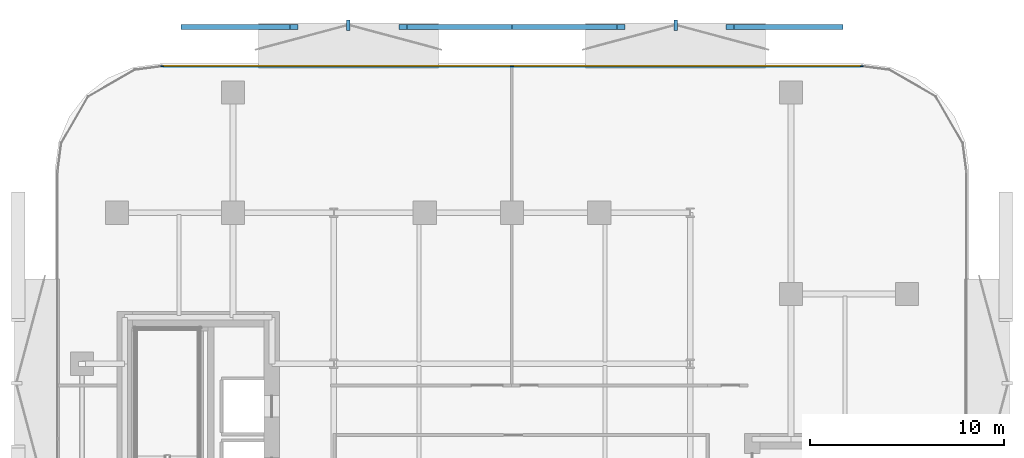
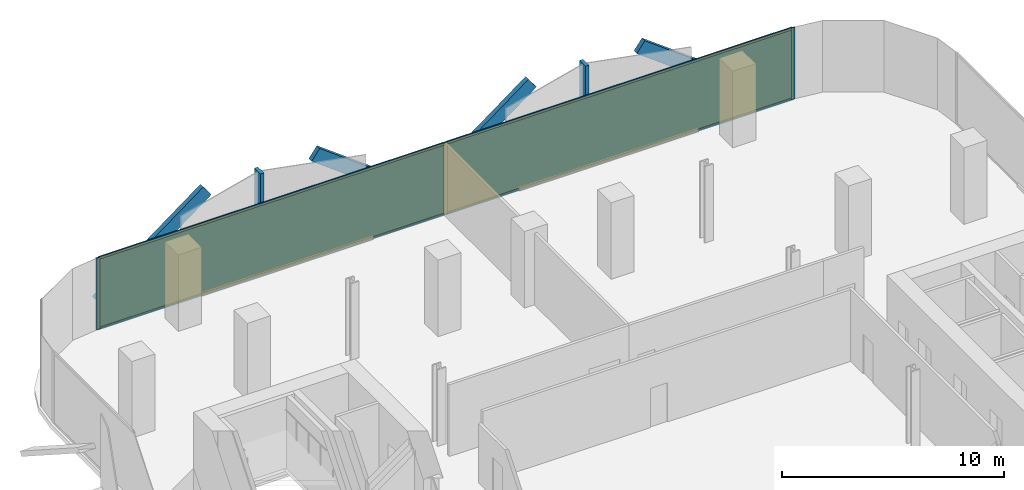
# One storey, part 9 of 14: 13 members, 2 plates, 1 curtain wall.
"""IFC4 building model written with IfcOpenShell, lengths in metres."""

import ifcopenshell
import ifcopenshell.guid

model = None  # the IFC model being written
_history = None  # IfcOwnerHistory: only IFC2X3 demands one
_inside = {}  # id of a spatial element -> (the spatial element, [elements in it])
_under = {}  # id of a project, library or spatial element -> (it, [spatial elements below it])
_declared = {}  # id of a project -> (the project, [libraries it declares])
_typed = {}  # id of a type object -> (the type object, [elements of that type])
_made_of = {}  # id of a material, layer set ... -> (it, [elements and type objects made of it])


def new_model(schema):
    """Start an empty IFC model of exactly this schema.

    Asked for "IFC4X3", IfcOpenShell would pick the latest addendum, in which some entities
    have other attributes; the version numbers below select the first issue.
    IFC2X3 requires an IfcOwnerHistory on every rooted entity: one is made here for all.
    """
    global model, _history
    if schema == "IFC4X3":
        model = ifcopenshell.file(schema_version=(4, 3, 0, 0))
    else:
        model = ifcopenshell.file(schema=schema)
    _inside.clear()
    _under.clear()
    _declared.clear()
    _typed.clear()
    _made_of.clear()
    _history = None
    if model.schema == "IFC2X3":
        org = make("IfcOrganization", Name="unknown")
        user = make(
            "IfcPersonAndOrganization",
            ThePerson=make("IfcPerson", FamilyName="unknown"),
            TheOrganization=org,
        )
        app = make(
            "IfcApplication",
            ApplicationDeveloper=org,
            Version="unknown",
            ApplicationFullName="unknown",
            ApplicationIdentifier="unknown",
        )
        _history = make(
            "IfcOwnerHistory",
            OwningUser=user,
            OwningApplication=app,
            ChangeAction="ADDED",
            CreationDate=0,
        )
    return model


def make(cls, **values):
    """One entity of the class cls with the attributes given. An attribute that is None is left unset."""
    return model.create_entity(
        cls, **{name: value for name, value in values.items() if value is not None}
    )


def rooted(cls, **values):
    """An entity with a GlobalId (a new one), such as an element, a storey or a relation."""
    return make(cls, GlobalId=ifcopenshell.guid.new(), OwnerHistory=_history, **values)


def si_unit(unit_type, name, prefix=None):
    """IfcSIUnit, for example si_unit("LENGTHUNIT", "METRE", prefix="MILLI")."""
    return make("IfcSIUnit", UnitType=unit_type, Prefix=prefix, Name=name)


def assignment(units):
    """IfcUnitAssignment: the units of a project."""
    return None if units is None else make("IfcUnitAssignment", Units=units)


def point(xyz):
    """IfcCartesianPoint."""
    return None if xyz is None else make("IfcCartesianPoint", Coordinates=xyz)


def direction(xyz):
    """IfcDirection."""
    return None if xyz is None else make("IfcDirection", DirectionRatios=xyz)


def frame(location, z_axis=None, x_axis=None):
    """IfcAxis2Placement3D, a coordinate frame: its origin and axes. An axis left out is left unset."""
    return make(
        "IfcAxis2Placement3D",
        Location=point(location),
        Axis=direction(z_axis),
        RefDirection=direction(x_axis),
    )


def frame_2d(location, x_axis=None):
    """IfcAxis2Placement2D, a coordinate frame in the plane: its origin and x axis."""
    return make(
        "IfcAxis2Placement2D", Location=point(location), RefDirection=direction(x_axis)
    )


def origin():
    """The frame at (0, 0, 0) with its axes left unset."""
    return frame((0.0, 0.0, 0.0))


def origin_2d():
    """The frame at (0, 0) in the plane with its x axis left unset."""
    return frame_2d((0.0, 0.0))


def place(relative_to, where):
    """IfcLocalPlacement: puts the frame where relative to a parent placement (None: the world)."""
    return make(
        "IfcLocalPlacement", PlacementRelTo=relative_to, RelativePlacement=where
    )


def context(
    kind, dimensions, precision=None, world=None, true_north=None, identifier=None
):
    """IfcGeometricRepresentationContext, for example the 3D "Model" context."""
    return make(
        "IfcGeometricRepresentationContext",
        ContextIdentifier=identifier,
        ContextType=kind,
        CoordinateSpaceDimension=dimensions,
        Precision=precision,
        WorldCoordinateSystem=world,
        TrueNorth=true_north,
    )


def subcontext(parent, identifier, kind, view, scale=None):
    """IfcGeometricRepresentationSubContext, for example "Body" below "Model"."""
    return make(
        "IfcGeometricRepresentationSubContext",
        ContextIdentifier=identifier,
        ContextType=kind,
        ParentContext=parent,
        TargetScale=scale,
        TargetView=view,
    )


def project(units=None, contexts=None):
    """IfcProject with its units and contexts."""
    return rooted(
        "IfcProject",
        Name="project",
        RepresentationContexts=contexts,
        UnitsInContext=assignment(units),
    )


def spatial(cls, under=None, at=None, **own):
    """A site, building, storey or space (cls), placed at a placement, below another one or the project."""
    s = rooted(cls, ObjectPlacement=at, **own)
    if under is not None:
        _under.setdefault(under.id(), (under, []))[1].append(s)
    return s


def profile(cls, at=None, kind="AREA", **sizes):
    """A parametric profile (cls). Its sizes go by their IFC names, for example OverallWidth=200.0."""
    return make(cls, ProfileType=kind, Position=at, **sizes)


def rectangle(**sizes):
    """IfcRectangleProfileDef."""
    return profile("IfcRectangleProfileDef", **sizes)


def extrude(swept, where, along, depth):
    """IfcExtrudedAreaSolid: the profile swept, set in the frame where, extruded along a direction by depth."""
    return make(
        "IfcExtrudedAreaSolid",
        SweptArea=swept,
        Position=where,
        ExtrudedDirection=direction(along),
        Depth=depth,
    )


def shape(context_of_items, identifier, shape_type, items):
    """IfcShapeRepresentation: the items that make up one representation, for example the "Body"."""
    return make(
        "IfcShapeRepresentation",
        ContextOfItems=context_of_items,
        RepresentationIdentifier=identifier,
        RepresentationType=shape_type,
        Items=items,
    )


def material(Name=None, Category=None):
    """IfcMaterial."""
    return make("IfcMaterial", Name=Name, Category=Category)


def layer(
    of_material, thickness, ventilated=None, Name=None, Category=None, Priority=None
):
    """IfcMaterialLayer: one layer of a wall or slab, of a material (None: an air gap)."""
    return make(
        "IfcMaterialLayer",
        Material=of_material,
        LayerThickness=thickness,
        IsVentilated=ventilated,
        Name=Name,
        Category=Category,
        Priority=Priority,
    )


def layer_set(layers, Name=None):
    """IfcMaterialLayerSet."""
    return make("IfcMaterialLayerSet", MaterialLayers=layers, LayerSetName=Name)


def material_profile(
    of_material, cross_section, Name=None, Category=None, Priority=None
):
    """IfcMaterialProfile: a cross section and its material."""
    return make(
        "IfcMaterialProfile",
        Name=Name,
        Material=of_material,
        Profile=cross_section,
        Priority=Priority,
        Category=Category,
    )


def profile_set(profiles, Name=None, composite=None):
    """IfcMaterialProfileSet."""
    return make(
        "IfcMaterialProfileSet",
        Name=Name,
        MaterialProfiles=profiles,
        CompositeProfile=composite,
    )


def made_of(thing, what):
    """Note that an element or type object is made of a material, layer set ...; save() writes the relation."""
    if what is not None:
        _made_of.setdefault(what.id(), (what, []))[1].append(thing)
    return thing


def type_object(cls, material=None, **own):
    """A type object (cls), such as IfcWallType, which elements share."""
    return made_of(rooted(cls, **own), material)


def element(
    cls,
    number,
    at=None,
    inside=None,
    cuts=None,
    type_object=None,
    material=None,
    context=None,
    identifier="Body",
    shape_type=None,
    held_by="IfcProductDefinitionShape",
    body=None,
    shapes=None,
    **own,
):
    """One element of the class cls, such as IfcWall. Its Tag is "e" and its number.

    at: its placement. inside: the storey or other place that contains it. cuts: it is an
    opening in that element (IfcRelVoidsElement). A single representation is given by context,
    identifier, shape_type and body (its items); several are given by shapes. held_by: the class
    of the entity that holds the representations. save() writes the other relations.
    """
    e = rooted(cls, Tag="e%d" % number, ObjectPlacement=at, **own)
    if body is not None:
        shapes = [shape(context, identifier, shape_type, body)]
    if shapes is not None:
        e.Representation = make(held_by, Representations=shapes)
    if inside is not None:
        _inside.setdefault(inside.id(), (inside, []))[1].append(e)
    if cuts is not None:
        rooted(
            "IfcRelVoidsElement", RelatingBuildingElement=cuts, RelatedOpeningElement=e
        )
    if type_object is not None:
        _typed.setdefault(type_object.id(), (type_object, []))[1].append(e)
    return made_of(e, material)


def aggregate(whole, parts):
    """IfcRelAggregates: a whole, such as a stair, and the parts it consists of."""
    return rooted("IfcRelAggregates", RelatingObject=whole, RelatedObjects=parts)


def save(model, path):
    """Write the relations noted so far, then the file.

    IfcRelAggregates (storeys below a building ...), IfcRelContainedInSpatialStructure (elements
    in a storey), IfcRelDefinesByType, IfcRelAssociatesMaterial and IfcRelDeclares: one each for
    every whole, place, type object, material and project.
    """
    for whole, parts in _under.values():
        aggregate(whole, parts)
    for where, things in _inside.values():
        rooted(
            "IfcRelContainedInSpatialStructure",
            RelatedElements=things,
            RelatingStructure=where,
        )
    for kind, things in _typed.values():
        rooted("IfcRelDefinesByType", RelatedObjects=things, RelatingType=kind)
    for what, things in _made_of.values():
        rooted("IfcRelAssociatesMaterial", RelatedObjects=things, RelatingMaterial=what)
    for by, libraries in _declared.values():
        rooted("IfcRelDeclares", RelatingContext=by, RelatedDefinitions=libraries)
    model.write(path)


model = new_model("IFC4")

# Units and contexts
model_context = context("Model", 3, precision=1e-05, world=origin(), true_north=direction((0.0, 1.0)))
body_context = subcontext(model_context, "Body", "Model", "MODEL_VIEW")
ifc_project = project(units=[si_unit("LENGTHUNIT", "METRE"), si_unit("AREAUNIT", "SQUARE_METRE"), si_unit("VOLUMEUNIT", "CUBIC_METRE"), si_unit("PLANEANGLEUNIT", "RADIAN"), si_unit("MASSUNIT", "GRAM", prefix="KILO")], contexts=[model_context])

# Member
ifc_material_1 = material(Name="Anodised Bronze Aluminium 6063-T6", Category="aluminium")
ifc_material_profile_1 = material_profile(ifc_material_1, rectangle(XDim=0.260009765625, YDim=0.699951171875, at=origin_2d()))
ifc_profile_set_1 = profile_set([ifc_material_profile_1], Name="Anodised Bronze Aluminium 6063-T6")
member_type_1 = type_object("IfcMemberType", Name="Bronze Diamond Solar-Screen Lattice Rib BDL-700", PredefinedType="MULLION", material=ifc_profile_set_1)
site_placement = place(None, origin())
building_placement = place(site_placement, origin())
storey_placement = place(building_placement, frame((0.0, 0.0, 93.199951171875)))
member_1_placement = place(storey_placement, frame((-16.890869140625, 28.199951171875, -0.1298828125), z_axis=(0.801557173533, 0.0, 0.597918136167), x_axis=(0.0, 1.0, 0.0)))
member_1 = element("IfcMember", 1, at=member_1_placement, type_object=member_type_1, Name="L21 Bronze Diamond Solar Screen Lattice Rib 117A", PredefinedType="MULLION", context=body_context, shape_type="SweptSolid", body=[
    extrude(rectangle(XDim=0.260009765625, YDim=0.699951171875, at=origin_2d()), origin(), (0.0, 0.0, 1.0), 7.024169921875),
])

member_2_placement = place(storey_placement, frame((0.0, 28.199951171875, -0.1298828125), z_axis=(-0.801557173533, 0.0, 0.597918136167), x_axis=(0.0, -1.0, 0.0)))
member_2 = element("IfcMember", 2, at=member_2_placement, type_object=member_type_1, Name="L21 Bronze Diamond Solar Screen Lattice Rib 117B", PredefinedType="MULLION", context=body_context, shape_type="SweptSolid", body=[
    extrude(rectangle(XDim=0.260009765625, YDim=0.699951171875, at=origin_2d()), origin(), (0.0, 0.0, 1.0), 7.024169921875),
])

member_3_placement = place(storey_placement, frame((0.0, 28.199951171875, -0.1298828125), z_axis=(0.801557173533, 0.0, 0.597918136167), x_axis=(0.0, 1.0, 0.0)))
member_3 = element("IfcMember", 3, at=member_3_placement, type_object=member_type_1, Name="L21 Bronze Diamond Solar Screen Lattice Rib 118A", PredefinedType="MULLION", context=body_context, shape_type="SweptSolid", body=[
    extrude(rectangle(XDim=0.260009765625, YDim=0.699951171875, at=origin_2d()), origin(), (0.0, 0.0, 1.0), 7.024169921875),
])

member_4_placement = place(storey_placement, frame((16.890869140625, 28.199951171875, -0.1298828125), z_axis=(-0.801557173533, 0.0, 0.597918136167), x_axis=(0.0, -1.0, 0.0)))
member_4 = element("IfcMember", 4, at=member_4_placement, type_object=member_type_1, Name="L21 Bronze Diamond Solar Screen Lattice Rib 118B", PredefinedType="MULLION", context=body_context, shape_type="SweptSolid", body=[
    extrude(rectangle(XDim=0.260009765625, YDim=0.699951171875, at=origin_2d()), origin(), (0.0, 0.0, 1.0), 7.024169921875),
])

ifc_material_2 = material(Name="Anodised Bronze Aluminium 6063-T6", Category="aluminium")
ifc_material_profile_2 = material_profile(ifc_material_2, rectangle(XDim=0.179931640625, YDim=0.5400390625, at=origin_2d()))
ifc_profile_set_2 = profile_set([ifc_material_profile_2], Name="Anodised Bronze Aluminium 6063-T6")
member_type_2 = type_object("IfcMemberType", Name="Bronze Solar-Screen Vertical Fold Fin BSF-540", PredefinedType="MULLION", material=ifc_profile_set_2)
member_5_placement = place(storey_placement, frame((-8.4453125, 28.280029296875, -0.1298828125), z_axis=(0.0, 0.0, 1.0), x_axis=(1.0, 0.0, 0.0)))
member_5 = element("IfcMember", 5, at=member_5_placement, type_object=member_type_2, Name="L21 Bronze Solar Screen Vertical Fin 117", PredefinedType="MULLION", context=body_context, shape_type="SweptSolid", body=[
    extrude(rectangle(XDim=0.179931640625, YDim=0.5400390625, at=origin_2d()), origin(), (0.0, 0.0, 1.0), 4.199951171875),
])

member_6_placement = place(storey_placement, frame((8.4453125, 28.280029296875, -0.1298828125), z_axis=(0.0, 0.0, 1.0), x_axis=(1.0, 0.0, 0.0)))
member_6 = element("IfcMember", 6, at=member_6_placement, type_object=member_type_2, Name="L21 Bronze Solar Screen Vertical Fin 118", PredefinedType="MULLION", context=body_context, shape_type="SweptSolid", body=[
    extrude(rectangle(XDim=0.179931640625, YDim=0.5400390625, at=origin_2d()), origin(), (0.0, 0.0, 1.0), 4.199951171875),
])

ifc_material_3 = material(Name="Anodised Bronze Aluminium 6063-T6", Category="aluminium")
ifc_material_profile_3 = material_profile(ifc_material_3, rectangle(XDim=0.06494140625, YDim=0.175048828125, at=origin_2d()))
ifc_profile_set_3 = profile_set([ifc_material_profile_3], Name="Anodised Bronze Aluminium 6063-T6")
member_type_3 = type_object("IfcMemberType", Name="CW-Z2 Mullion 65x175", PredefinedType="MULLION", material=ifc_profile_set_3)
member_7_placement = place(storey_placement, frame((-18.058349609375, 26.159912109375, 0.0), z_axis=(0.0, 0.0, 1.0), x_axis=(0.0, 1.0, 0.0)))
member_7 = element("IfcMember", 7, at=member_7_placement, type_object=member_type_3, Name="CW-Z2 mullion 1", PredefinedType="MULLION", context=body_context, shape_type="SweptSolid", body=[
    extrude(rectangle(XDim=0.06494140625, YDim=0.175048828125, at=origin_2d()), origin(), (0.0, 0.0, 1.0), 3.93994140625),
])

member_8_placement = place(storey_placement, frame((0.0, 26.159912109375, 0.0), z_axis=(0.0, 0.0, 1.0), x_axis=(0.0, 1.0, 0.0)))
member_8 = element("IfcMember", 8, at=member_8_placement, type_object=member_type_3, Name="CW-Z2 mullion 2", PredefinedType="MULLION", context=body_context, shape_type="SweptSolid", body=[
    extrude(rectangle(XDim=0.06494140625, YDim=0.175048828125, at=origin_2d()), origin(), (0.0, 0.0, 1.0), 3.93994140625),
])

member_9_placement = place(storey_placement, frame((18.058349609375, 26.159912109375, 0.0), z_axis=(0.0, 0.0, 1.0), x_axis=(0.0, 1.0, 0.0)))
member_9 = element("IfcMember", 9, at=member_9_placement, type_object=member_type_3, Name="CW-Z2 mullion 3", PredefinedType="MULLION", context=body_context, shape_type="SweptSolid", body=[
    extrude(rectangle(XDim=0.06494140625, YDim=0.175048828125, at=origin_2d()), origin(), (0.0, 0.0, 1.0), 3.93994140625),
])

ifc_material_4 = material(Name="Anodised Bronze Aluminium 6063-T6", Category="aluminium")
ifc_material_profile_4 = material_profile(ifc_material_4, rectangle(XDim=0.06494140625, YDim=0.135009765625, at=origin_2d()))
ifc_profile_set_4 = profile_set([ifc_material_profile_4], Name="Anodised Bronze Aluminium 6063-T6")
member_type_4 = type_object("IfcMemberType", Name="CW-Z2 Transom 65x135", PredefinedType="USERDEFINED", material=ifc_profile_set_4)
member_10_placement = place(storey_placement, frame((-18.02587890625, 26.159912109375, 0.032470703125), z_axis=(1.0, 0.0, 0.0), x_axis=(0.0, 1.0, 0.0)))
member_10 = element("IfcMember", 10, at=member_10_placement, type_object=member_type_4, Name="CW-Z2 transom 1.1", ObjectType="TRANSOM", PredefinedType="USERDEFINED", context=body_context, shape_type="SweptSolid", body=[
    extrude(rectangle(XDim=0.06494140625, YDim=0.135009765625, at=origin_2d()), origin(), (0.0, 0.0, 1.0), 17.993408203125),
])

member_11_placement = place(storey_placement, frame((-18.02587890625, 26.159912109375, 3.907470703125), z_axis=(1.0, 0.0, 0.0), x_axis=(0.0, 1.0, 0.0)))
member_11 = element("IfcMember", 11, at=member_11_placement, type_object=member_type_4, Name="CW-Z2 transom 1.2", ObjectType="TRANSOM", PredefinedType="USERDEFINED", context=body_context, shape_type="SweptSolid", body=[
    extrude(rectangle(XDim=0.06494140625, YDim=0.135009765625, at=origin_2d()), origin(), (0.0, 0.0, 1.0), 17.993408203125),
])

member_12_placement = place(storey_placement, frame((0.032470703125, 26.159912109375, 0.032470703125), z_axis=(1.0, 0.0, 0.0), x_axis=(0.0, 1.0, 0.0)))
member_12 = element("IfcMember", 12, at=member_12_placement, type_object=member_type_4, Name="CW-Z2 transom 2.1", ObjectType="TRANSOM", PredefinedType="USERDEFINED", context=body_context, shape_type="SweptSolid", body=[
    extrude(rectangle(XDim=0.06494140625, YDim=0.135009765625, at=origin_2d()), origin(), (0.0, 0.0, 1.0), 17.993408203125),
])

member_13_placement = place(storey_placement, frame((0.032470703125, 26.159912109375, 3.907470703125), z_axis=(1.0, 0.0, 0.0), x_axis=(0.0, 1.0, 0.0)))
member_13 = element("IfcMember", 13, at=member_13_placement, type_object=member_type_4, Name="CW-Z2 transom 2.2", ObjectType="TRANSOM", PredefinedType="USERDEFINED", context=body_context, shape_type="SweptSolid", body=[
    extrude(rectangle(XDim=0.06494140625, YDim=0.135009765625, at=origin_2d()), origin(), (0.0, 0.0, 1.0), 17.993408203125),
])

# Plate
ifc_material_5 = material(Name="Low-E Solar Control Laminated Glass", Category="glass")
ifc_layer_1 = layer(ifc_material_5, 0.028076171875, Name="Low-E Solar Control Laminated Glass")
ifc_layer_set_1 = layer_set([ifc_layer_1], Name="Low-E Solar Control Laminated Glass")
plate_type = type_object("IfcPlateType", Name="CW-Z2 Low-E Double Glazed Panel 28mm", PredefinedType="CURTAIN_PANEL", material=ifc_layer_set_1)
plate_1_placement = place(storey_placement, frame((-9.029052734375, 26.159912109375, 0.06494140625), z_axis=(0.0, 0.0, 1.0), x_axis=(1.0, 0.0, 0.0)))
plate_1 = element("IfcPlate", 14, at=plate_1_placement, type_object=plate_type, Name="CW-Z2 panel 1.1", PredefinedType="CURTAIN_PANEL", context=body_context, shape_type="SweptSolid", body=[
    extrude(rectangle(XDim=17.993408203125, YDim=0.028076171875, at=origin_2d()), origin(), (0.0, 0.0, 1.0), 3.81005859375),
])

plate_2_placement = place(storey_placement, frame((9.029052734375, 26.159912109375, 0.06494140625), z_axis=(0.0, 0.0, 1.0), x_axis=(1.0, 0.0, 0.0)))
plate_2 = element("IfcPlate", 15, at=plate_2_placement, type_object=plate_type, Name="CW-Z2 panel 2.1", PredefinedType="CURTAIN_PANEL", context=body_context, shape_type="SweptSolid", body=[
    extrude(rectangle(XDim=17.993408203125, YDim=0.028076171875, at=origin_2d()), origin(), (0.0, 0.0, 1.0), 3.81005859375),
])

# Site, building, storey
site = spatial("IfcSite", under=ifc_project, at=site_placement, CompositionType="ELEMENT")
building = spatial("IfcBuilding", under=site, at=building_placement, Name="Khairoan Windgate Tower", CompositionType="ELEMENT")
storey = spatial("IfcBuildingStorey", under=building, at=storey_placement, Name="L21", CompositionType="ELEMENT", Elevation=93.199951171875)

# Curtain wall
ifc_material_6 = material(Name="Anodised Bronze Aluminium 6063-T6", Category="aluminium")
ifc_layer_2 = layer(ifc_material_6, 0.175048828125, Name="Anodised Bronze Aluminium 6063-T6")
ifc_layer_set_2 = layer_set([ifc_layer_2], Name="Anodised Bronze Aluminium 6063-T6")
curtain_wall_type = type_object("IfcCurtainWallType", Name="Mid-Rise Office Unitised Curtain Wall CW-Z2", PredefinedType="NOTDEFINED", material=ifc_layer_set_2)
curtain_wall_placement = place(storey_placement, frame((-18.0908203125, 26.159912109375, 0.0), z_axis=(0.0, 0.0, 1.0), x_axis=(1.0, 0.0, 0.0)))
curtain_wall = element("IfcCurtainWall", 16, at=curtain_wall_placement, inside=storey, type_object=curtain_wall_type, Name="L21 Unitised Curtain Wall 11", PredefinedType="NOTDEFINED", context=body_context, shape_type="SweptSolid", body=[
    extrude(rectangle(XDim=36.181640625, YDim=0.010009765625, at=frame_2d((18.0908203125, 0.0))), origin(), (0.0, 0.0, 1.0), 3.93994140625),
])

aggregate(curtain_wall, [member_7, member_8, member_9, member_10, member_11, plate_1, member_12, member_13, plate_2, member_1, member_2, member_5, member_3, member_4, member_6])

save(model, "model.ifc")
